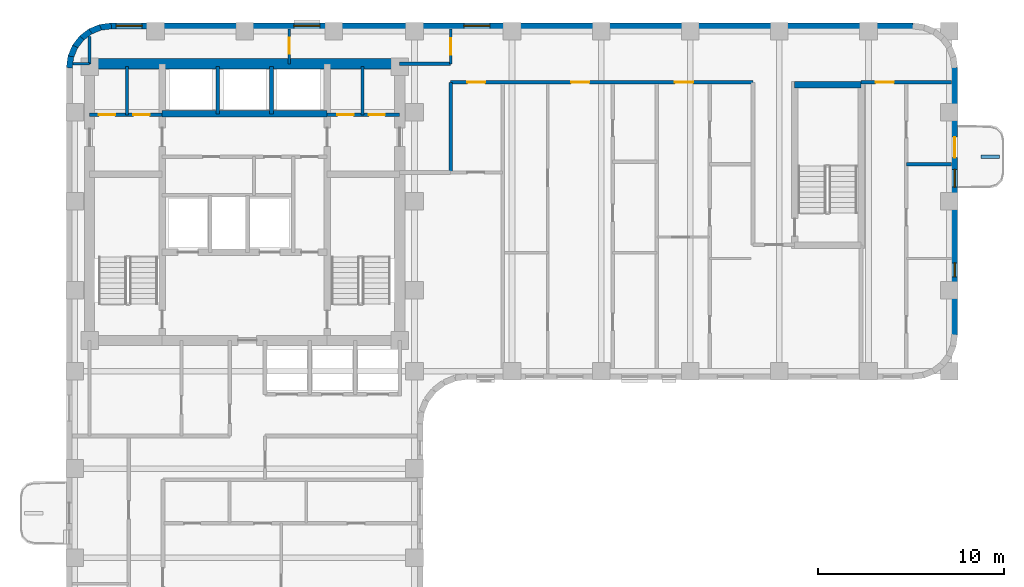
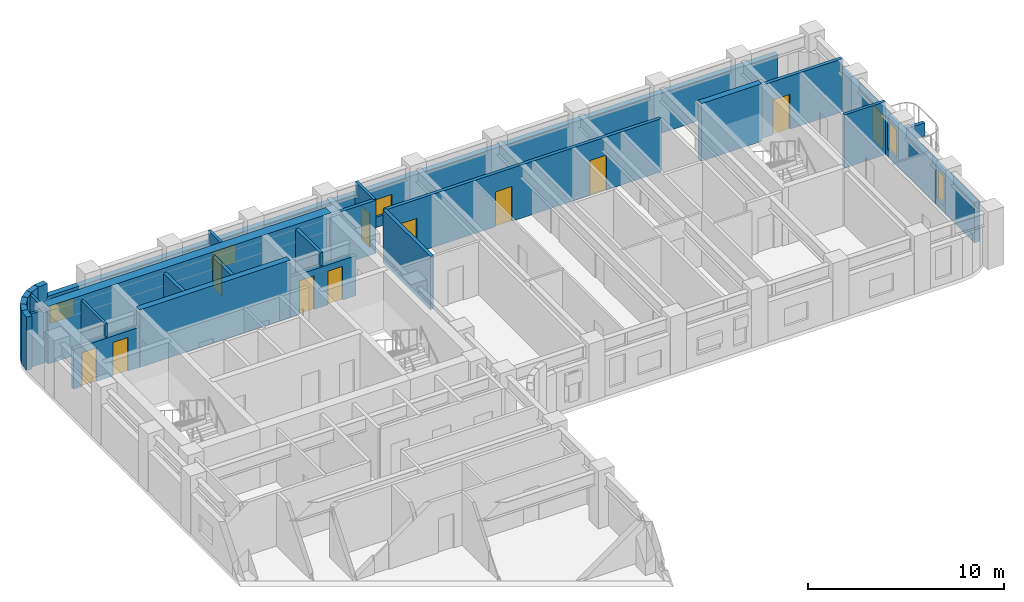
# One storey, part 6 of 10: 27 walls, 11 doors, 5 windows, 16 openings.
"""IFC4 building model written with IfcOpenShell, lengths in metres."""

from ifc_helpers import new_model, si_unit, direction, frame, frame_2d, origin, place, context, subcontext, project, spatial, rectangle, extrude, material, layer, layer_set, type_object, element, fill, save


model = new_model("IFC4")

# Units and contexts
model_context = context("Model", 3, precision=1e-05, world=origin(), true_north=direction((0.0, 1.0)))
body_context = subcontext(model_context, "Body", "Model", "MODEL_VIEW")
ifc_project = project(units=[si_unit("LENGTHUNIT", "METRE"), si_unit("AREAUNIT", "SQUARE_METRE"), si_unit("VOLUMEUNIT", "CUBIC_METRE"), si_unit("PLANEANGLEUNIT", "RADIAN"), si_unit("MASSUNIT", "GRAM", prefix="KILO")], contexts=[model_context])

# Site, building, storey
site_placement = place(None, origin())
site = spatial("IfcSite", under=ifc_project, at=site_placement, CompositionType="ELEMENT")
building_placement = place(site_placement, origin())
building = spatial("IfcBuilding", under=site, at=building_placement, Name="Orvandelia Arch Residences", CompositionType="ELEMENT")
storey_placement = place(building_placement, frame((0.0, 0.0, 150.39990234375)))
storey = spatial("IfcBuildingStorey", under=building, at=storey_placement, Name="L39", CompositionType="ELEMENT", Elevation=150.39990234375)

# Walls
ifc_material_1 = material(Name="Concrete C50/60", Category="concrete")
ifc_layer_1 = layer(ifc_material_1, 0.35009765625, Name="Concrete C50/60", Category="concrete")
ifc_layer_set_1 = layer_set([ifc_layer_1], Name="Concrete C50/60")
wall_type_1 = type_object("IfcWallType", Name="WL-CORE-350", PredefinedType="SHEAR", material=ifc_layer_set_1)
wall_1_placement = place(storey_placement, frame((9.9599609375, 43.10009765625, 0.0), z_axis=(0.0, 0.0, 1.0), x_axis=(1.0, 0.0, 0.0)))
element("IfcWall", 1, at=wall_1_placement, inside=storey, type_object=wall_type_1, Name="Core Shear Wall L39-HZ4", PredefinedType="SHEAR", context=body_context, shape_type="SweptSolid", body=[
    extrude(rectangle(XDim=8.880126953125, YDim=0.35009765625, at=frame_2d((4.43994140625, 0.0))), origin(), (0.0, 0.0, 1.0), 3.60009765625),
])
wall_2_placement = place(storey_placement, frame((44.02001953125, 44.659912109375, 0.0), z_axis=(0.0, 0.0, 1.0), x_axis=(1.0, 0.0, 0.0)))
element("IfcWall", 2, at=wall_2_placement, inside=storey, type_object=wall_type_1, Name="East Stair Core Shear Wall L39-N", PredefinedType="SHEAR", context=body_context, shape_type="SweptSolid", body=[
    extrude(rectangle(XDim=3.580078125, YDim=0.35009765625, at=frame_2d((1.7900390625, 0.0))), origin(), (0.0, 0.0, 1.0), 3.60009765625),
])
ifc_material_2 = material(Name="Concrete C60/75", Category="concrete")
ifc_layer_2 = layer(ifc_material_2, 0.550048828125, Name="Concrete C60/75", Category="concrete")
ifc_layer_set_2 = layer_set([ifc_layer_2], Name="Concrete C60/75")
wall_type_2 = type_object("IfcWallType", Name="WL-CORE-550", PredefinedType="SHEAR", material=ifc_layer_set_2)
wall_3_placement = place(storey_placement, frame((6.050048828125, 45.800048828125, 0.0), z_axis=(0.0, 0.0, 1.0), x_axis=(1.0, 0.0, 0.0)))
element("IfcWall", 3, at=wall_3_placement, inside=storey, type_object=wall_type_2, Name="Core Shear Wall L39-N", PredefinedType="SHEAR", context=body_context, shape_type="SweptSolid", body=[
    extrude(rectangle(XDim=16.699951171875, YDim=0.550048828125, at=frame_2d((8.35009765625, 0.0))), origin(), (0.0, 0.0, 1.0), 3.60009765625),
])
ifc_material_3 = material(Name="Fire-Rated Corridor Partition")
ifc_layer_3 = layer(ifc_material_3, 0.199951171875, Name="Fire-Rated Corridor Partition")
ifc_layer_set_3 = layer_set([ifc_layer_3], Name="Fire-Rated Corridor Partition")
wall_type_3 = type_object("IfcWallType", Name="WL-CORR-200", PredefinedType="PARTITIONING", material=ifc_layer_set_3)
wall_4_placement = place(storey_placement, frame((22.75, 45.800048828125, 0.0), z_axis=(0.0, 0.0, 1.0), x_axis=(1.0, 0.0, 0.0)))
element("IfcWall", 4, at=wall_4_placement, inside=storey, type_object=wall_type_3, Name="Interior Partition Wall WL-L39-NCE-S", PredefinedType="PARTITIONING", context=body_context, shape_type="SweptSolid", body=[
    extrude(rectangle(XDim=2.75, YDim=0.199951171875, at=frame_2d((1.375, 0.0))), origin(), (0.0, 0.0, 1.0), 3.320068359375),
])

# Wall, openings, doors
wall_5_placement = place(storey_placement, frame((25.5, 44.800048828125, 0.0), z_axis=(0.0, 0.0, 1.0), x_axis=(1.0, 0.0, 0.0)))
wall_5 = element("IfcWall", 5, at=wall_5_placement, inside=storey, type_object=wall_type_3, Name="Interior Partition Wall WL-L39-EN2-S1", PredefinedType="PARTITIONING", context=body_context, shape_type="SweptSolid", body=[
    extrude(rectangle(XDim=16.280029296875, YDim=0.199951171875, at=frame_2d((8.14013671875, 0.0))), origin(), (0.0, 0.0, 1.0), 3.320068359375),
])
opening_1_placement = place(wall_5_placement, frame((0.89990234375, 0.0, 0.0)))
opening_1 = element("IfcOpeningElement", 6, at=opening_1_placement, cuts=wall_5, Name="Opening D2", PredefinedType="OPENING", context=body_context, shape_type="SweptSolid", body=[
    extrude(rectangle(XDim=0.949951171875, YDim=2.14990234375, at=frame_2d((0.47509765625, 1.074951171875))), frame((0.0, 0.10986328125, 0.0), z_axis=(0.0, -1.0, 0.0), x_axis=(1.0, 0.0, 0.0)), (0.0, 0.0, 1.0), 0.219970703125),
])
opening_2_placement = place(wall_5_placement, frame((6.485595703125, 0.0, 0.0)))
opening_2 = element("IfcOpeningElement", 7, at=opening_2_placement, cuts=wall_5, Name="Opening D1", PredefinedType="OPENING", context=body_context, shape_type="SweptSolid", body=[
    extrude(rectangle(XDim=0.97998046875, YDim=2.179931640625, at=frame_2d((0.489990234375, 1.08984375))), frame((0.0, 0.10986328125, 0.0), z_axis=(0.0, -1.0, 0.0), x_axis=(1.0, 0.0, 0.0)), (0.0, 0.0, 1.0), 0.219970703125),
])
opening_3_placement = place(wall_5_placement, frame((12.074951171875, 0.0, 0.0)))
opening_3 = element("IfcOpeningElement", 8, at=opening_3_placement, cuts=wall_5, Name="Opening D1", PredefinedType="OPENING", context=body_context, shape_type="SweptSolid", body=[
    extrude(rectangle(XDim=0.97998046875, YDim=2.179931640625, at=frame_2d((0.489990234375, 1.08984375))), frame((0.0, 0.10986328125, 0.0), z_axis=(0.0, -1.0, 0.0), x_axis=(1.0, 0.0, 0.0)), (0.0, 0.0, 1.0), 0.219970703125),
])
ifc_material_4 = material(Name="Solid-Core Timber Interior Fire Door", Category="wood")
door_type_1 = type_object("IfcDoorType", Name="DR-APT-950", OperationType="NOTDEFINED", PredefinedType="DOOR", material=ifc_material_4)
door_1_placement = place(opening_1_placement, origin())
door_1 = element("IfcDoor", 9, at=door_1_placement, inside=storey, type_object=door_type_1, Name="DR-L39-EN2KLD", OperationType="SINGLE_SWING_LEFT", OverallHeight=2.14990234375, OverallWidth=0.949951171875, PredefinedType="DOOR", context=body_context, shape_type="SweptSolid", body=[
    extrude(rectangle(XDim=0.949951171875, YDim=2.14990234375, at=frame_2d((0.47509765625, 1.074951171875))), frame((0.0, 0.02490234375, 0.0), z_axis=(0.0, -1.0, 0.0), x_axis=(1.0, 0.0, 0.0)), (0.0, 0.0, 1.0), 0.050048828125),
])
fill(opening_1, door_1)
ifc_material_5 = material(Name="Solid-Core Timber Acoustic Fire Door", Category="wood")
door_type_2 = type_object("IfcDoorType", Name="DR-ENT-980", OperationType="NOTDEFINED", PredefinedType="DOOR", material=ifc_material_5)
door_2_placement = place(opening_2_placement, origin())
door_2 = element("IfcDoor", 10, at=door_2_placement, inside=storey, type_object=door_type_2, Name="Unit L39-03 Entrance Door", OperationType="SINGLE_SWING_LEFT", OverallHeight=2.179931640625, OverallWidth=0.97998046875, PredefinedType="DOOR", context=body_context, shape_type="SweptSolid", body=[
    extrude(rectangle(XDim=0.97998046875, YDim=2.179931640625, at=frame_2d((0.489990234375, 1.08984375))), frame((0.0, 0.02490234375, 0.0), z_axis=(0.0, -1.0, 0.0), x_axis=(1.0, 0.0, 0.0)), (0.0, 0.0, 1.0), 0.050048828125),
])
fill(opening_2, door_2)
door_3_placement = place(opening_3_placement, origin())
door_3 = element("IfcDoor", 11, at=door_3_placement, inside=storey, type_object=door_type_2, Name="Unit L39-04 Entrance Door", OperationType="SINGLE_SWING_RIGHT", OverallHeight=2.179931640625, OverallWidth=0.97998046875, PredefinedType="DOOR", context=body_context, shape_type="SweptSolid", body=[
    extrude(rectangle(XDim=0.97998046875, YDim=2.179931640625, at=frame_2d((0.489990234375, 1.08984375))), frame((0.0, 0.02490234375, 0.0), z_axis=(0.0, -1.0, 0.0), x_axis=(1.0, 0.0, 0.0)), (0.0, 0.0, 1.0), 0.050048828125),
])
fill(opening_3, door_3)

# Wall, opening, door
wall_6_placement = place(storey_placement, frame((47.60009765625, 44.800048828125, 0.0), z_axis=(0.0, 0.0, 1.0), x_axis=(1.0, 0.0, 0.0)))
wall_6 = element("IfcWall", 12, at=wall_6_placement, inside=storey, type_object=wall_type_3, Name="Interior Partition Wall WL-L39-EN2-S2", PredefinedType="PARTITIONING", context=body_context, shape_type="SweptSolid", body=[
    extrude(rectangle(XDim=4.8798828125, YDim=0.199951171875, at=frame_2d((2.43994140625, 0.0))), origin(), (0.0, 0.0, 1.0), 3.320068359375),
])
opening_4_placement = place(wall_6_placement, frame((0.79150390625, 0.0, 0.0)))
opening_4 = element("IfcOpeningElement", 13, at=opening_4_placement, cuts=wall_6, Name="Opening D1", PredefinedType="OPENING", context=body_context, shape_type="SweptSolid", body=[
    extrude(rectangle(XDim=0.97998046875, YDim=2.179931640625, at=frame_2d((0.489990234375, 1.08984375))), frame((0.0, 0.10986328125, 0.0), z_axis=(0.0, -1.0, 0.0), x_axis=(1.0, 0.0, 0.0)), (0.0, 0.0, 1.0), 0.219970703125),
])
door_4_placement = place(opening_4_placement, origin())
door_4 = element("IfcDoor", 14, at=door_4_placement, inside=storey, type_object=door_type_2, Name="Unit L39-05 Entrance Door", OperationType="SINGLE_SWING_LEFT", OverallHeight=2.179931640625, OverallWidth=0.97998046875, PredefinedType="DOOR", context=body_context, shape_type="SweptSolid", body=[
    extrude(rectangle(XDim=0.97998046875, YDim=2.179931640625, at=frame_2d((0.489990234375, 1.08984375))), frame((0.0, 0.02490234375, 0.0), z_axis=(0.0, -1.0, 0.0), x_axis=(1.0, 0.0, 0.0)), (0.0, 0.0, 1.0), 0.050048828125),
])
fill(opening_4, door_4)

# Walls
wall_7_placement = place(storey_placement, frame((25.5, 39.949951171875, 0.0), z_axis=(0.0, 0.0, 1.0), x_axis=(0.0, 1.0, 0.0)))
element("IfcWall", 15, at=wall_7_placement, inside=storey, type_object=wall_type_3, Name="Interior Partition Wall WL-L39-EN2-LW", PredefinedType="PARTITIONING", context=body_context, shape_type="SweptSolid", body=[
    extrude(rectangle(XDim=4.85009765625, YDim=0.199951171875, at=frame_2d((2.425048828125, 0.0))), origin(), (0.0, 0.0, 1.0), 3.320068359375),
])
ifc_material_6 = material(Name="Precast concrete C40/50", Category="concrete")
ifc_layer_4 = layer(ifc_material_6, 0.320068359375, Name="Precast concrete C40/50", Category="concrete")
ifc_layer_set_4 = layer_set([ifc_layer_4], Name="Precast concrete C40/50")
wall_type_4 = type_object("IfcWallType", Name="WL-EXT-STONE-320", PredefinedType="STANDARD", material=ifc_layer_set_4)
for number, where, z_axis, x_axis, name in (
    (16, (4.95849609375, 45.5791015625, 0.0), (0.0, 0.0, 1.0), (0.130555323746, 0.9914410257, 0.0), "Coral-Limestone Precast Facade Wall L39-001"),
    (17, (5.029541015625, 46.159912109375, 0.0), (0.0, 0.0, 1.0), (0.382650053678, 0.92389335771, 0.0), "Coral-Limestone Precast Facade Wall L39-002"),
):
    element("IfcWall", number, at=place(storey_placement, frame(where, z_axis=z_axis, x_axis=x_axis)), inside=storey, type_object=wall_type_4, Name=name, PredefinedType="STANDARD", context=body_context, shape_type="SweptSolid", body=[
        extrude(rectangle(XDim=0.62646484375, YDim=0.320068359375, at=frame_2d((0.313232421875, 0.0))), origin(), (0.0, 0.0, 1.0), 3.320068359375),
    ])
wall_8_placement = place(storey_placement, frame((5.248291015625, 46.70263671875, 0.0), z_axis=(0.0, 0.0, 1.0), x_axis=(0.608938521285, 0.7932174212, 0.0)))
element("IfcWall", 18, at=wall_8_placement, inside=storey, type_object=wall_type_4, Name="Coral-Limestone Precast Facade Wall L39-003", PredefinedType="STANDARD", context=body_context, shape_type="SweptSolid", body=[
    extrude(rectangle(XDim=0.626708984375, YDim=0.320068359375, at=frame_2d((0.3134765625, 0.0))), origin(), (0.0, 0.0, 1.0), 3.320068359375),
])
wall_9_placement = place(storey_placement, frame((5.600341796875, 47.170166015625, 0.0), z_axis=(0.0, 0.0, 1.0), x_axis=(0.793405610854, 0.608693302629, 0.0)))
element("IfcWall", 19, at=wall_9_placement, inside=storey, type_object=wall_type_4, Name="Coral-Limestone Precast Facade Wall L39-004", PredefinedType="STANDARD", context=body_context, shape_type="SweptSolid", body=[
    extrude(rectangle(XDim=0.62646484375, YDim=0.320068359375, at=frame_2d((0.313232421875, 0.0))), origin(), (0.0, 0.0, 1.0), 3.320068359375),
])
wall_10_placement = place(storey_placement, frame((6.061279296875, 47.53076171875, 0.0), z_axis=(0.0, 0.0, 1.0), x_axis=(0.923836271867, 0.382787856107, 0.0)))
element("IfcWall", 20, at=wall_10_placement, inside=storey, type_object=wall_type_4, Name="Coral-Limestone Precast Facade Wall L39-005", PredefinedType="STANDARD", context=body_context, shape_type="SweptSolid", body=[
    extrude(rectangle(XDim=0.626220703125, YDim=0.320068359375, at=frame_2d((0.31298828125, 0.0))), origin(), (0.0, 0.0, 1.0), 3.320068359375),
])
wall_11_placement = place(storey_placement, frame((6.599609375, 47.759521484375, 0.0), z_axis=(0.0, 0.0, 1.0), x_axis=(0.991447664465, 0.130504898859, 0.0)))
element("IfcWall", 21, at=wall_11_placement, inside=storey, type_object=wall_type_4, Name="Coral-Limestone Precast Facade Wall L39-006", PredefinedType="STANDARD", context=body_context, shape_type="SweptSolid", body=[
    extrude(rectangle(XDim=0.626708984375, YDim=0.320068359375, at=frame_2d((0.3134765625, 0.0))), origin(), (0.0, 0.0, 1.0), 3.320068359375),
])

# Wall, openings, windows
wall_12_placement = place(storey_placement, frame((7.199951171875, 47.840087890625, 0.0), z_axis=(0.0, 0.0, 1.0), x_axis=(1.0, 0.0, 0.0)))
wall_12 = element("IfcWall", 22, at=wall_12_placement, inside=storey, type_object=wall_type_4, Name="Coral-Limestone Precast Facade Wall L39-007", PredefinedType="STANDARD", context=body_context, shape_type="SweptSolid", body=[
    extrude(rectangle(XDim=43.199951171875, YDim=0.320068359375, at=frame_2d((21.60009765625, 0.0))), origin(), (0.0, 0.0, 1.0), 2.5),
])
opening_5_placement = place(wall_12_placement, frame((19.00244140625, 0.0, 0.64990234375)))
opening_5 = element("IfcOpeningElement", 23, at=opening_5_placement, cuts=wall_12, Name="Opening W10", PredefinedType="OPENING", context=body_context, shape_type="SweptSolid", body=[
    extrude(rectangle(XDim=1.39990234375, YDim=1.10009765625, at=frame_2d((0.699951171875, 0.550048828125))), frame((0.0, 0.169921875, 0.0), z_axis=(0.0, -1.0, 0.0), x_axis=(1.0, 0.0, 0.0)), (0.0, 0.0, 1.0), 0.340087890625),
])
opening_6_placement = place(wall_12_placement, frame((0.282470703125, 0.0, 0.64990234375)))
opening_6 = element("IfcOpeningElement", 24, at=opening_6_placement, cuts=wall_12, Name="Opening W10", PredefinedType="OPENING", context=body_context, shape_type="SweptSolid", body=[
    extrude(rectangle(XDim=1.39990234375, YDim=1.10009765625, at=frame_2d((0.699951171875, 0.550048828125))), frame((0.0, 0.169921875, 0.0), z_axis=(0.0, -1.0, 0.0), x_axis=(1.0, 0.0, 0.0)), (0.0, 0.0, 1.0), 0.340087890625),
])
opening_7_placement = place(wall_12_placement, frame((9.8525390625, 0.0, 0.64990234375)))
opening_7 = element("IfcOpeningElement", 25, at=opening_7_placement, cuts=wall_12, Name="Opening W10", PredefinedType="OPENING", context=body_context, shape_type="SweptSolid", body=[
    extrude(rectangle(XDim=1.39990234375, YDim=1.10009765625, at=frame_2d((0.699951171875, 0.550048828125))), frame((0.0, 0.169921875, 0.0), z_axis=(0.0, -1.0, 0.0), x_axis=(1.0, 0.0, 0.0)), (0.0, 0.0, 1.0), 0.340087890625),
])
ifc_material_7 = material(Name="Tempered Low-E Insulated Glazing", Category="glass")
window_type_1 = type_object("IfcWindowType", Name="WIN-CLR-1400x1100", PartitioningType="SINGLE_PANEL", PredefinedType="WINDOW", material=ifc_material_7)
window_1_placement = place(opening_5_placement, origin())
window_1 = element("IfcWindow", 26, at=window_1_placement, inside=storey, type_object=window_type_1, Name="Recessed Punched Window L39-001", OverallHeight=1.10009765625, OverallWidth=1.39990234375, PartitioningType="SINGLE_PANEL", PredefinedType="WINDOW", context=body_context, shape_type="SweptSolid", body=[
    extrude(rectangle(XDim=1.39990234375, YDim=1.10009765625, at=frame_2d((0.699951171875, 0.550048828125))), frame((0.0, 0.030029296875, 0.0), z_axis=(0.0, -1.0, 0.0), x_axis=(1.0, 0.0, 0.0)), (0.0, 0.0, 1.0), 0.06005859375),
])
fill(opening_5, window_1)
window_2_placement = place(opening_6_placement, origin())
window_2 = element("IfcWindow", 27, at=window_2_placement, inside=storey, type_object=window_type_1, Name="Recessed Punched Window L39-002", OverallHeight=1.10009765625, OverallWidth=1.39990234375, PartitioningType="SINGLE_PANEL", PredefinedType="WINDOW", context=body_context, shape_type="SweptSolid", body=[
    extrude(rectangle(XDim=1.39990234375, YDim=1.10009765625, at=frame_2d((0.699951171875, 0.550048828125))), frame((0.0, 0.030029296875, 0.0), z_axis=(0.0, -1.0, 0.0), x_axis=(1.0, 0.0, 0.0)), (0.0, 0.0, 1.0), 0.06005859375),
])
fill(opening_6, window_2)
window_3_placement = place(opening_7_placement, origin())
window_3 = element("IfcWindow", 28, at=window_3_placement, inside=storey, type_object=window_type_1, Name="Recessed Punched Window L39-003", OverallHeight=1.10009765625, OverallWidth=1.39990234375, PartitioningType="SINGLE_PANEL", PredefinedType="WINDOW", context=body_context, shape_type="SweptSolid", body=[
    extrude(rectangle(XDim=1.39990234375, YDim=1.10009765625, at=frame_2d((0.699951171875, 0.550048828125))), frame((0.0, 0.030029296875, 0.0), z_axis=(0.0, -1.0, 0.0), x_axis=(1.0, 0.0, 0.0)), (0.0, 0.0, 1.0), 0.06005859375),
])
fill(opening_7, window_3)

# Wall, openings, door, windows
wall_13_placement = place(storey_placement, frame((52.639892578125, 45.60009765625, 0.0), z_axis=(0.0, 0.0, 1.0), x_axis=(0.0, -1.0, 0.0)))
wall_13 = element("IfcWall", 29, at=wall_13_placement, inside=storey, type_object=wall_type_4, Name="Coral-Limestone Precast Facade Wall L39-014", PredefinedType="STANDARD", context=body_context, shape_type="SweptSolid", body=[
    extrude(rectangle(XDim=14.400146484375, YDim=0.320068359375, at=frame_2d((7.2001953125, 0.0))), origin(), (0.0, 0.0, 1.0), 2.5),
])
opening_8_placement = place(wall_13_placement, frame((3.75, 0.0, 0.0)))
opening_8 = element("IfcOpeningElement", 30, at=opening_8_placement, cuts=wall_13, Name="Opening BD1", PredefinedType="OPENING", context=body_context, shape_type="SweptSolid", body=[
    extrude(rectangle(XDim=1.10009765625, YDim=2.14990234375, at=frame_2d((0.550048828125, 1.074951171875))), frame((0.0, 0.169921875, 0.0), z_axis=(0.0, -1.0, 0.0), x_axis=(1.0, 0.0, 0.0)), (0.0, 0.0, 1.0), 0.340087890625),
])
opening_9_placement = place(wall_13_placement, frame((10.51953125, 0.0, 0.449951171875)))
opening_9 = element("IfcOpeningElement", 31, at=opening_9_placement, cuts=wall_13, Name="Opening W11", PredefinedType="OPENING", context=body_context, shape_type="SweptSolid", body=[
    extrude(rectangle(XDim=0.75, YDim=1.800048828125, at=frame_2d((0.375, 0.89990234375))), frame((0.0, 0.169921875, 0.0), z_axis=(0.0, -1.0, 0.0), x_axis=(1.0, 0.0, 0.0)), (0.0, 0.0, 1.0), 0.340087890625),
])
opening_10_placement = place(wall_13_placement, frame((5.486083984375, 0.0, 0.449951171875)))
opening_10 = element("IfcOpeningElement", 32, at=opening_10_placement, cuts=wall_13, Name="Opening W4", PredefinedType="OPENING", context=body_context, shape_type="SweptSolid", body=[
    extrude(rectangle(XDim=0.949951171875, YDim=1.800048828125, at=frame_2d((0.47509765625, 0.89990234375))), frame((0.0, 0.169921875, 0.0), z_axis=(0.0, -1.0, 0.0), x_axis=(1.0, 0.0, 0.0)), (0.0, 0.0, 1.0), 0.340087890625),
])
ifc_material_8 = material(Name="Thermally Broken Aluminium Glazed Door", Category="aluminium")
door_type_3 = type_object("IfcDoorType", Name="DR-BAL-GLAZ-1100", OperationType="NOTDEFINED", PredefinedType="DOOR", material=ifc_material_8)
door_5_placement = place(opening_8_placement, origin())
door_5 = element("IfcDoor", 33, at=door_5_placement, inside=storey, type_object=door_type_3, Name="Tree Balcony Glazed Door BAL-L39-E1", OperationType="SINGLE_SWING_LEFT", OverallHeight=2.14990234375, OverallWidth=1.10009765625, PredefinedType="DOOR", context=body_context, shape_type="SweptSolid", body=[
    extrude(rectangle(XDim=1.10009765625, YDim=2.14990234375, at=frame_2d((0.550048828125, 1.074951171875))), frame((0.0, 0.02490234375, 0.0), z_axis=(0.0, -1.0, 0.0), x_axis=(1.0, 0.0, 0.0)), (0.0, 0.0, 1.0), 0.050048828125),
])
fill(opening_8, door_5)
window_type_2 = type_object("IfcWindowType", Name="WIN-BED-0750x1800", PartitioningType="SINGLE_PANEL", PredefinedType="WINDOW", material=ifc_material_7)
window_4_placement = place(opening_9_placement, origin())
window_4 = element("IfcWindow", 34, at=window_4_placement, inside=storey, type_object=window_type_2, Name="Recessed Punched Window L39-004", OverallHeight=1.800048828125, OverallWidth=0.75, PartitioningType="SINGLE_PANEL", PredefinedType="WINDOW", context=body_context, shape_type="SweptSolid", body=[
    extrude(rectangle(XDim=0.75, YDim=1.800048828125, at=frame_2d((0.375, 0.89990234375))), frame((0.0, 0.030029296875, 0.0), z_axis=(0.0, -1.0, 0.0), x_axis=(1.0, 0.0, 0.0)), (0.0, 0.0, 1.0), 0.06005859375),
])
fill(opening_9, window_4)
window_type_3 = type_object("IfcWindowType", Name="WIN-RES-0950x1800", PartitioningType="SINGLE_PANEL", PredefinedType="WINDOW", material=ifc_material_7)
window_5_placement = place(opening_10_placement, origin())
window_5 = element("IfcWindow", 35, at=window_5_placement, inside=storey, type_object=window_type_3, Name="Recessed Punched Window L39-005", OverallHeight=1.800048828125, OverallWidth=0.949951171875, PartitioningType="SINGLE_PANEL", PredefinedType="WINDOW", context=body_context, shape_type="SweptSolid", body=[
    extrude(rectangle(XDim=0.949951171875, YDim=1.800048828125, at=frame_2d((0.47509765625, 0.89990234375))), frame((0.0, 0.030029296875, 0.0), z_axis=(0.0, -1.0, 0.0), x_axis=(1.0, 0.0, 0.0)), (0.0, 0.0, 1.0), 0.06005859375),
])
fill(opening_10, window_5)

# Walls
ifc_material_9 = material(Name="Acoustic Gypsum Stud Partition")
ifc_layer_5 = layer(ifc_material_9, 0.14990234375, Name="Acoustic Gypsum Stud Partition")
ifc_layer_set_5 = layer_set([ifc_layer_5], Name="Acoustic Gypsum Stud Partition")
wall_type_5 = type_object("IfcWallType", Name="WL-PART-150", PredefinedType="PARTITIONING", material=ifc_layer_set_5)
wall_14_placement = place(storey_placement, frame((8.06005859375, 43.050048828125, 0.0), z_axis=(0.0, 0.0, 1.0), x_axis=(0.0, 1.0, 0.0)))
element("IfcWall", 36, at=wall_14_placement, inside=storey, type_object=wall_type_5, Name="Interior Partition Wall WL-L39-CRELC-M", PredefinedType="PARTITIONING", context=body_context, shape_type="SweptSolid", body=[
    extrude(rectangle(XDim=2.599853515625, YDim=0.14990234375, at=frame_2d((1.2998046875, 0.0))), origin(), (0.0, 0.0, 1.0), 3.320068359375),
])
wall_15_placement = place(storey_placement, frame((5.159912109375, 45.800048828125, 0.0), z_axis=(0.0, 0.0, 1.0), x_axis=(1.0, 0.0, 0.0)))
element("IfcWall", 37, at=wall_15_placement, inside=storey, type_object=wall_type_5, Name="Interior Partition Wall WL-L39-WF-N", PredefinedType="PARTITIONING", context=body_context, shape_type="SweptSolid", body=[
    extrude(rectangle(XDim=0.89013671875, YDim=0.14990234375, at=frame_2d((0.445068359375, 0.0))), origin(), (0.0, 0.0, 1.0), 3.320068359375),
])

# Wall, opening, door
wall_16_placement = place(storey_placement, frame((25.5, 45.800048828125, 0.0), z_axis=(0.0, 0.0, 1.0), x_axis=(0.0, 1.0, 0.0)))
wall_16 = element("IfcWall", 38, at=wall_16_placement, inside=storey, type_object=wall_type_5, Name="Interior Partition Wall WL-L39-NCE-W", PredefinedType="PARTITIONING", context=body_context, shape_type="SweptSolid", body=[
    extrude(rectangle(XDim=1.8798828125, YDim=0.14990234375, at=frame_2d((0.93994140625, 0.0))), origin(), (0.0, 0.0, 1.0), 3.320068359375),
])
opening_11_placement = place(wall_16_placement, frame((0.5, 0.0, 0.0)))
opening_11 = element("IfcOpeningElement", 39, at=opening_11_placement, cuts=wall_16, Name="Opening D5", PredefinedType="OPENING", context=body_context, shape_type="SweptSolid", body=[
    extrude(rectangle(XDim=0.8798828125, YDim=2.10009765625, at=frame_2d((0.43994140625, 1.050048828125))), frame((0.0, 0.0849609375, 0.0), z_axis=(0.0, -1.0, 0.0), x_axis=(1.0, 0.0, 0.0)), (0.0, 0.0, 1.0), 0.169921875),
])
ifc_material_10 = material(Name="Painted Galvanised Steel Service Door", Category="steel")
door_type_4 = type_object("IfcDoorType", Name="DR-SRV-880", OperationType="NOTDEFINED", PredefinedType="DOOR", material=ifc_material_10)
door_6_placement = place(opening_11_placement, origin())
door_6 = element("IfcDoor", 40, at=door_6_placement, inside=storey, type_object=door_type_4, Name="DR-L39-NCS2", OperationType="SINGLE_SWING_LEFT", OverallHeight=2.10009765625, OverallWidth=0.8798828125, PredefinedType="DOOR", context=body_context, shape_type="SweptSolid", body=[
    extrude(rectangle(XDim=0.8798828125, YDim=2.10009765625, at=frame_2d((0.43994140625, 1.050048828125))), frame((0.0, 0.02490234375, 0.0), z_axis=(0.0, -1.0, 0.0), x_axis=(1.0, 0.0, 0.0)), (0.0, 0.0, 1.0), 0.050048828125),
])
fill(opening_11, door_6)

# Wall
wall_17_placement = place(storey_placement, frame((6.050048828125, 45.800048828125, 0.0), z_axis=(0.0, 0.0, 1.0), x_axis=(0.0, 1.0, 0.0)))
element("IfcWall", 41, at=wall_17_placement, inside=storey, type_object=wall_type_5, Name="Interior Partition Wall WL-L39-NC-W6", PredefinedType="PARTITIONING", context=body_context, shape_type="SweptSolid", body=[
    extrude(rectangle(XDim=1.4599609375, YDim=0.14990234375, at=frame_2d((0.72998046875, 0.0))), origin(), (0.0, 0.0, 1.0), 3.320068359375),
])

# Wall, opening, door
wall_18_placement = place(storey_placement, frame((16.800048828125, 45.800048828125, 0.0), z_axis=(0.0, 0.0, 1.0), x_axis=(0.0, 1.0, 0.0)))
wall_18 = element("IfcWall", 42, at=wall_18_placement, inside=storey, type_object=wall_type_5, Name="Interior Partition Wall WL-L39-NC-M", PredefinedType="PARTITIONING", context=body_context, shape_type="SweptSolid", body=[
    extrude(rectangle(XDim=1.8798828125, YDim=0.14990234375, at=frame_2d((0.93994140625, 0.0))), origin(), (0.0, 0.0, 1.0), 3.320068359375),
])
opening_12_placement = place(wall_18_placement, frame((0.550048828125, 0.0, 0.0)))
opening_12 = element("IfcOpeningElement", 43, at=opening_12_placement, cuts=wall_18, Name="Opening D4", PredefinedType="OPENING", context=body_context, shape_type="SweptSolid", body=[
    extrude(rectangle(XDim=0.860107421875, YDim=2.10009765625, at=frame_2d((0.43017578125, 1.050048828125))), frame((0.0, 0.0849609375, 0.0), z_axis=(0.0, -1.0, 0.0), x_axis=(1.0, 0.0, 0.0)), (0.0, 0.0, 1.0), 0.169921875),
])
ifc_material_11 = material(Name="Moisture-Sealed Timber Bathroom Door", Category="wood")
door_type_5 = type_object("IfcDoorType", Name="DR-WET-900", OperationType="NOTDEFINED", PredefinedType="DOOR", material=ifc_material_11)
door_7_placement = place(opening_12_placement, origin())
door_7 = element("IfcDoor", 44, at=door_7_placement, inside=storey, type_object=door_type_5, Name="DR-L39-NCS1", OperationType="SINGLE_SWING_LEFT", OverallHeight=2.10009765625, OverallWidth=0.860107421875, PredefinedType="DOOR", context=body_context, shape_type="SweptSolid", body=[
    extrude(rectangle(XDim=0.860107421875, YDim=2.10009765625, at=frame_2d((0.43017578125, 1.050048828125))), frame((0.0, 0.02490234375, 0.0), z_axis=(0.0, -1.0, 0.0), x_axis=(1.0, 0.0, 0.0)), (0.0, 0.0, 1.0), 0.050048828125),
])
fill(opening_12, door_7)

# Wall
ifc_layer_6 = layer(ifc_material_6, 0.199951171875, Name="Precast concrete C40/50", Category="concrete")
ifc_layer_set_6 = layer_set([ifc_layer_6], Name="Precast concrete C40/50")
wall_type_6 = type_object("IfcWallType", Name="WL-PLANTER-200", PredefinedType="MOVABLE", material=ifc_layer_set_6)
wall_19_placement = place(storey_placement, frame((54.050048828125, 40.800048828125, 0.0), z_axis=(0.0, 0.0, 1.0), x_axis=(1.0, 0.0, 0.0)))
element("IfcWall", 45, at=wall_19_placement, inside=storey, type_object=wall_type_6, Name="Balcony Precast Tree Planter BAL-L39-E1", PredefinedType="MOVABLE", context=body_context, shape_type="SweptSolid", body=[
    extrude(rectangle(XDim=1.0, YDim=0.199951171875, at=frame_2d((0.5, 0.0))), origin(), (0.0, 0.0, 1.0), 0.85009765625),
])

# Wall, openings, doors
ifc_material_12 = material(Name="Fire-Rated Shaft Enclosure Wall")
ifc_layer_7 = layer(ifc_material_12, 0.199951171875, Name="Fire-Rated Shaft Enclosure Wall")
ifc_layer_set_7 = layer_set([ifc_layer_7], Name="Fire-Rated Shaft Enclosure Wall")
wall_type_7 = type_object("IfcWallType", Name="WL-SHAFT-200", PredefinedType="POLYGONAL", material=ifc_layer_set_7)
wall_20_placement = place(storey_placement, frame((18.840087890625, 43.050048828125, 0.0), z_axis=(0.0, 0.0, 1.0), x_axis=(1.0, 0.0, 0.0)))
wall_20 = element("IfcWall", 46, at=wall_20_placement, inside=storey, type_object=wall_type_7, Name="Interior Partition Wall WL-L39-HLE-N", PredefinedType="POLYGONAL", context=body_context, shape_type="SweptSolid", body=[
    extrude(rectangle(XDim=3.909912109375, YDim=0.199951171875, at=frame_2d((1.955078125, 0.0))), origin(), (0.0, 0.0, 1.0), 2.5),
])
opening_13_placement = place(wall_20_placement, frame((0.550048828125, 0.0, 0.0)))
opening_13 = element("IfcOpeningElement", 47, at=opening_13_placement, cuts=wall_20, Name="Opening D5", PredefinedType="OPENING", context=body_context, shape_type="SweptSolid", body=[
    extrude(rectangle(XDim=0.8798828125, YDim=2.10009765625, at=frame_2d((0.43994140625, 1.050048828125))), frame((0.0, 0.10986328125, 0.0), z_axis=(0.0, -1.0, 0.0), x_axis=(1.0, 0.0, 0.0)), (0.0, 0.0, 1.0), 0.219970703125),
])
opening_14_placement = place(wall_20_placement, frame((2.25, 0.0, 0.0)))
opening_14 = element("IfcOpeningElement", 48, at=opening_14_placement, cuts=wall_20, Name="Opening D4", PredefinedType="OPENING", context=body_context, shape_type="SweptSolid", body=[
    extrude(rectangle(XDim=0.860107421875, YDim=2.10009765625, at=frame_2d((0.43017578125, 1.050048828125))), frame((0.0, 0.10986328125, 0.0), z_axis=(0.0, -1.0, 0.0), x_axis=(1.0, 0.0, 0.0)), (0.0, 0.0, 1.0), 0.219970703125),
])
door_8_placement = place(opening_13_placement, origin())
door_8 = element("IfcDoor", 49, at=door_8_placement, inside=storey, type_object=door_type_4, Name="DR-L39-CSB1", OperationType="SINGLE_SWING_LEFT", OverallHeight=2.10009765625, OverallWidth=0.8798828125, PredefinedType="DOOR", context=body_context, shape_type="SweptSolid", body=[
    extrude(rectangle(XDim=0.8798828125, YDim=2.10009765625, at=frame_2d((0.43994140625, 1.050048828125))), frame((0.0, 0.02490234375, 0.0), z_axis=(0.0, -1.0, 0.0), x_axis=(1.0, 0.0, 0.0)), (0.0, 0.0, 1.0), 0.050048828125),
])
fill(opening_13, door_8)
door_9_placement = place(opening_14_placement, origin())
door_9 = element("IfcDoor", 50, at=door_9_placement, inside=storey, type_object=door_type_5, Name="DR-L39-CSB2", OperationType="SINGLE_SWING_LEFT", OverallHeight=2.10009765625, OverallWidth=0.860107421875, PredefinedType="DOOR", context=body_context, shape_type="SweptSolid", body=[
    extrude(rectangle(XDim=0.860107421875, YDim=2.10009765625, at=frame_2d((0.43017578125, 1.050048828125))), frame((0.0, 0.02490234375, 0.0), z_axis=(0.0, -1.0, 0.0), x_axis=(1.0, 0.0, 0.0)), (0.0, 0.0, 1.0), 0.050048828125),
])
fill(opening_14, door_9)

wall_21_placement = place(storey_placement, frame((6.050048828125, 43.050048828125, 0.0), z_axis=(0.0, 0.0, 1.0), x_axis=(1.0, 0.0, 0.0)))
wall_21 = element("IfcWall", 51, at=wall_21_placement, inside=storey, type_object=wall_type_7, Name="Interior Partition Wall WL-L39-HLW-N", PredefinedType="POLYGONAL", context=body_context, shape_type="SweptSolid", body=[
    extrude(rectangle(XDim=3.909912109375, YDim=0.199951171875, at=frame_2d((1.955078125, 0.0))), origin(), (0.0, 0.0, 1.0), 2.5),
])
opening_15_placement = place(wall_21_placement, frame((0.5, 0.0, 0.0)))
opening_15 = element("IfcOpeningElement", 52, at=opening_15_placement, cuts=wall_21, Name="Opening D5", PredefinedType="OPENING", context=body_context, shape_type="SweptSolid", body=[
    extrude(rectangle(XDim=0.8798828125, YDim=2.10009765625, at=frame_2d((0.43994140625, 1.050048828125))), frame((0.0, 0.10986328125, 0.0), z_axis=(0.0, -1.0, 0.0), x_axis=(1.0, 0.0, 0.0)), (0.0, 0.0, 1.0), 0.219970703125),
])
opening_16_placement = place(wall_21_placement, frame((2.35009765625, 0.0, 0.0)))
opening_16 = element("IfcOpeningElement", 53, at=opening_16_placement, cuts=wall_21, Name="Opening D5", PredefinedType="OPENING", context=body_context, shape_type="SweptSolid", body=[
    extrude(rectangle(XDim=0.8798828125, YDim=2.10009765625, at=frame_2d((0.43994140625, 1.050048828125))), frame((0.0, 0.10986328125, 0.0), z_axis=(0.0, -1.0, 0.0), x_axis=(1.0, 0.0, 0.0)), (0.0, 0.0, 1.0), 0.219970703125),
])
door_10_placement = place(opening_15_placement, origin())
door_10 = element("IfcDoor", 54, at=door_10_placement, inside=storey, type_object=door_type_4, Name="DR-L39-CRELC1", OperationType="SINGLE_SWING_LEFT", OverallHeight=2.10009765625, OverallWidth=0.8798828125, PredefinedType="DOOR", context=body_context, shape_type="SweptSolid", body=[
    extrude(rectangle(XDim=0.8798828125, YDim=2.10009765625, at=frame_2d((0.43994140625, 1.050048828125))), frame((0.0, 0.02490234375, 0.0), z_axis=(0.0, -1.0, 0.0), x_axis=(1.0, 0.0, 0.0)), (0.0, 0.0, 1.0), 0.050048828125),
])
fill(opening_15, door_10)
door_11_placement = place(opening_16_placement, origin())
door_11 = element("IfcDoor", 55, at=door_11_placement, inside=storey, type_object=door_type_4, Name="DR-L39-CRELC2", OperationType="SINGLE_SWING_RIGHT", OverallHeight=2.10009765625, OverallWidth=0.8798828125, PredefinedType="DOOR", context=body_context, shape_type="SweptSolid", body=[
    extrude(rectangle(XDim=0.8798828125, YDim=2.10009765625, at=frame_2d((0.43994140625, 1.050048828125))), frame((0.0, 0.02490234375, 0.0), z_axis=(0.0, -1.0, 0.0), x_axis=(1.0, 0.0, 0.0)), (0.0, 0.0, 1.0), 0.050048828125),
])
fill(opening_16, door_11)

# Walls
for number, where, z_axis, x_axis, name in (
    (56, (12.949951171875, 43.10009765625, 0.0), (0.0, 0.0, 1.0), (0.0, 1.0, 0.0), "Interior Partition Wall WL-L39-PHD1"),
    (57, (15.85009765625, 43.10009765625, 0.0), (0.0, 0.0, 1.0), (0.0, 1.0, 0.0), "Interior Partition Wall WL-L39-PHD2"),
):
    element("IfcWall", number, at=place(storey_placement, frame(where, z_axis=z_axis, x_axis=x_axis)), inside=storey, type_object=wall_type_7, Name=name, PredefinedType="POLYGONAL", context=body_context, shape_type="SweptSolid", body=[
        extrude(rectangle(XDim=2.5498046875, YDim=0.199951171875, at=frame_2d((1.27490234375, 0.0))), origin(), (0.0, 0.0, 1.0), 3.320068359375),
    ])
ifc_material_13 = material(Name="Moisture-Resistant Plumbing Wall")
ifc_layer_8 = layer(ifc_material_13, 0.179931640625, Name="Moisture-Resistant Plumbing Wall")
ifc_layer_set_8 = layer_set([ifc_layer_8], Name="Moisture-Resistant Plumbing Wall")
wall_type_8 = type_object("IfcWallType", Name="WL-WET-180", PredefinedType="PLUMBINGWALL", material=ifc_layer_set_8)
wall_22_placement = place(storey_placement, frame((20.75, 43.050048828125, 0.0), z_axis=(0.0, 0.0, 1.0), x_axis=(0.0, 1.0, 0.0)))
element("IfcWall", 58, at=wall_22_placement, inside=storey, type_object=wall_type_8, Name="Interior Partition Wall WL-L39-CSB-1", PredefinedType="PLUMBINGWALL", context=body_context, shape_type="SweptSolid", body=[
    extrude(rectangle(XDim=2.599853515625, YDim=0.179931640625, at=frame_2d((1.2998046875, 0.0))), origin(), (0.0, 0.0, 1.0), 3.320068359375),
])
wall_23_placement = place(storey_placement, frame((50.04296875, 40.383056640625, 0.0), z_axis=(0.0, 0.0, 1.0), x_axis=(1.0, 0.0, 0.0)))
element("IfcWall", 59, at=wall_23_placement, inside=storey, type_object=wall_type_8, Name="Interior Partition Wall WL-L39-U05-H2", PredefinedType="PLUMBINGWALL", context=body_context, shape_type="SweptSolid", body=[
    extrude(rectangle(XDim=2.43701171875, YDim=0.179931640625, at=frame_2d((1.218505859375, 0.0))), origin(), (0.0, 0.0, 1.0), 3.320068359375),
])

save(model, "model.ifc")
